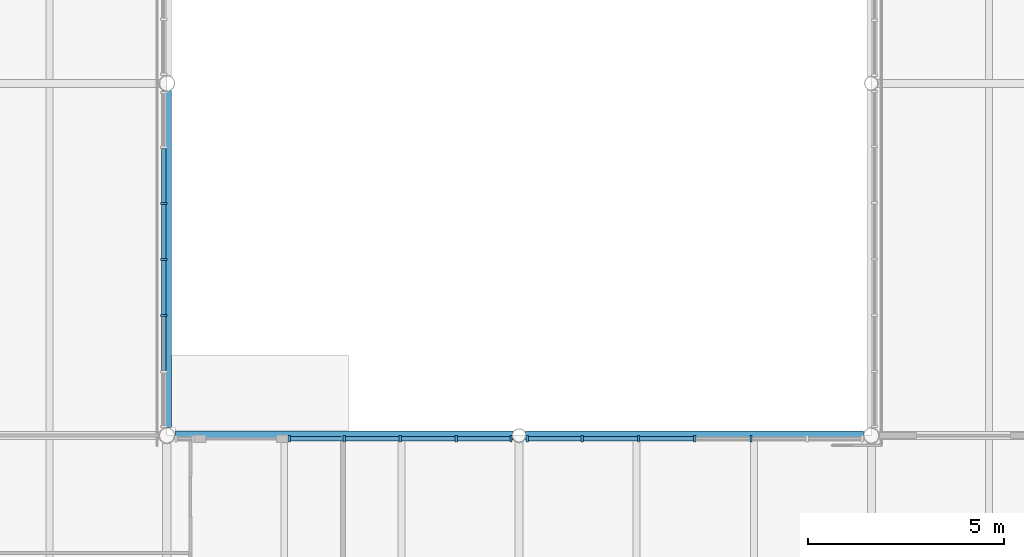
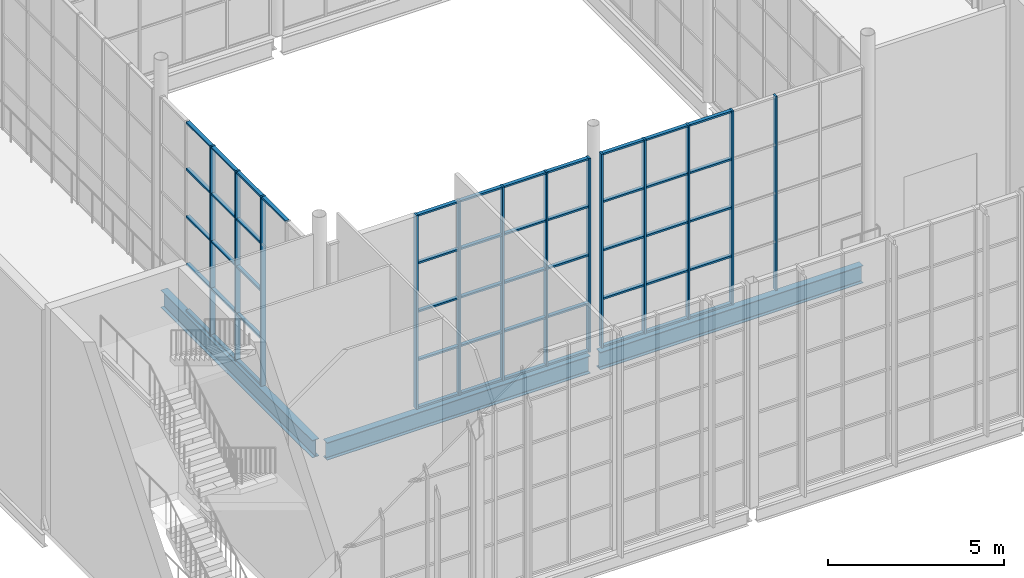
# One storey, part 48 of 90: 64 members, 3 beams, 3 elements without a shape of their own.
"""IFC4 building model written with IfcOpenShell, lengths in metres."""

from ifc_helpers import new_model, si_unit, direction, frame, origin, origin_2d, place, context, subcontext, project, spatial, rectangle, i_section, extrude, material, layer, layer_set, material_profile, profile_set, type_object, element, aggregate, save


model = new_model("IFC4")

# Units and contexts
model_context = context("Model", 3, precision=1e-05, world=origin(), true_north=direction((0.0, 1.0)))
body_context = subcontext(model_context, "Body", "Model", "MODEL_VIEW")
ifc_project = project(units=[si_unit("LENGTHUNIT", "METRE"), si_unit("AREAUNIT", "SQUARE_METRE"), si_unit("VOLUMEUNIT", "CUBIC_METRE"), si_unit("PLANEANGLEUNIT", "RADIAN"), si_unit("MASSUNIT", "GRAM", prefix="KILO")], contexts=[model_context])

# Site, building, storey
site_placement = place(None, origin())
site = spatial("IfcSite", under=ifc_project, at=site_placement, CompositionType="ELEMENT")
building_placement = place(site_placement, origin())
building = spatial("IfcBuilding", under=site, at=building_placement, Name="Halyard Row Museum", CompositionType="ELEMENT")
storey_placement = place(building_placement, frame((0.0, 0.0, 13.39990234375)))
storey = spatial("IfcBuildingStorey", under=building, at=storey_placement, Name="L03", CompositionType="ELEMENT", Elevation=13.39990234375)

# Curtain wall, members
ifc_material_1 = material(Name="Fire-resisting laminated glazing", Category="glass")
ifc_layer = layer(ifc_material_1, 0.159912109375)
ifc_layer_set = layer_set([ifc_layer], Name="Fire-resisting laminated glazing")
curtain_wall_type = type_object("IfcCurtainWallType", Name="Curtain wall atrium screen 160 deep", PredefinedType="NOTDEFINED", material=ifc_layer_set)
curtain_wall_1_placement = place(storey_placement, origin())
curtain_wall_1 = element("IfcCurtainWall", 1, at=curtain_wall_1_placement, inside=storey, type_object=curtain_wall_type, Name="Curtain wall CW094", PredefinedType="NOTDEFINED")
ifc_material_2 = material(Name="Powder-coated aluminium section", Category="aluminium")
ifc_material_profile_1 = material_profile(ifc_material_2, rectangle(XDim=0.159912109375, YDim=0.06005859375, at=origin_2d()), Name="160x60 mullion")
ifc_profile_set_1 = profile_set([ifc_material_profile_1], Name="Powder-coated aluminium section")
member_type_1 = type_object("IfcMemberType", Name="Curtain wall mullion CM5 60 x 160", PredefinedType="MULLION", material=ifc_profile_set_1)
member_1_placement = place(storey_placement, frame((84.1298828125, 8.919921875, 0.0), z_axis=(0.0, 0.0, 1.0), x_axis=(0.0, 1.0, 0.0)))
member_1 = element("IfcMember", 2, at=member_1_placement, type_object=member_type_1, Name="CW094 mullion 1", PredefinedType="MULLION", context=body_context, shape_type="SweptSolid", body=[
    extrude(rectangle(XDim=0.159912109375, YDim=0.06005859375, at=origin_2d()), origin(), (0.0, 0.0, 1.0), 6.732177734375),
])
member_2_placement = place(storey_placement, frame((85.530517578125, 8.919921875, 0.0), z_axis=(0.0, 0.0, 1.0), x_axis=(0.0, 1.0, 0.0)))
member_2 = element("IfcMember", 3, at=member_2_placement, type_object=member_type_1, Name="CW094 mullion 2", PredefinedType="MULLION", context=body_context, shape_type="SweptSolid", body=[
    extrude(rectangle(XDim=0.159912109375, YDim=0.06005859375, at=origin_2d()), origin(), (0.0, 0.0, 1.0), 6.732177734375),
])
member_3_placement = place(storey_placement, frame((86.961181640625, 8.919921875, 0.0), z_axis=(0.0, 0.0, 1.0), x_axis=(0.0, 1.0, 0.0)))
member_3 = element("IfcMember", 4, at=member_3_placement, type_object=member_type_1, Name="CW094 mullion 3", PredefinedType="MULLION", context=body_context, shape_type="SweptSolid", body=[
    extrude(rectangle(XDim=0.159912109375, YDim=0.06005859375, at=origin_2d()), origin(), (0.0, 0.0, 1.0), 6.732177734375),
])
member_4_placement = place(storey_placement, frame((88.3916015625, 8.919921875, 0.0), z_axis=(0.0, 0.0, 1.0), x_axis=(0.0, 1.0, 0.0)))
member_4 = element("IfcMember", 5, at=member_4_placement, type_object=member_type_1, Name="CW094 mullion 4", PredefinedType="MULLION", context=body_context, shape_type="SweptSolid", body=[
    extrude(rectangle(XDim=0.159912109375, YDim=0.06005859375, at=origin_2d()), origin(), (0.0, 0.0, 1.0), 6.732177734375),
])
member_5_placement = place(storey_placement, frame((89.792236328125, 8.919921875, 0.0), z_axis=(0.0, 0.0, 1.0), x_axis=(0.0, 1.0, 0.0)))
member_5 = element("IfcMember", 6, at=member_5_placement, type_object=member_type_1, Name="CW094 mullion 5", PredefinedType="MULLION", context=body_context, shape_type="SweptSolid", body=[
    extrude(rectangle(XDim=0.159912109375, YDim=0.06005859375, at=origin_2d()), origin(), (0.0, 0.0, 1.0), 6.732177734375),
])

curtain_wall_2_placement = place(storey_placement, origin())
curtain_wall_2 = element("IfcCurtainWall", 7, at=curtain_wall_2_placement, inside=storey, type_object=curtain_wall_type, Name="Curtain wall CW095", PredefinedType="NOTDEFINED")
member_6_placement = place(storey_placement, frame((90.207763671875, 8.919921875, 0.0), z_axis=(0.0, 0.0, 1.0), x_axis=(0.0, 1.0, 0.0)))
member_6 = element("IfcMember", 8, at=member_6_placement, type_object=member_type_1, Name="CW095 mullion 1", PredefinedType="MULLION", context=body_context, shape_type="SweptSolid", body=[
    extrude(rectangle(XDim=0.159912109375, YDim=0.06005859375, at=origin_2d()), origin(), (0.0, 0.0, 1.0), 6.732177734375),
])
member_7_placement = place(storey_placement, frame((91.6142578125, 8.919921875, 0.0), z_axis=(0.0, 0.0, 1.0), x_axis=(0.0, 1.0, 0.0)))
member_7 = element("IfcMember", 9, at=member_7_placement, type_object=member_type_1, Name="CW095 mullion 2", PredefinedType="MULLION", context=body_context, shape_type="SweptSolid", body=[
    extrude(rectangle(XDim=0.159912109375, YDim=0.06005859375, at=origin_2d()), origin(), (0.0, 0.0, 1.0), 6.732177734375),
])
member_8_placement = place(storey_placement, frame((93.05078125, 8.919921875, 0.0), z_axis=(0.0, 0.0, 1.0), x_axis=(0.0, 1.0, 0.0)))
member_8 = element("IfcMember", 10, at=member_8_placement, type_object=member_type_1, Name="CW095 mullion 3", PredefinedType="MULLION", context=body_context, shape_type="SweptSolid", body=[
    extrude(rectangle(XDim=0.159912109375, YDim=0.06005859375, at=origin_2d()), origin(), (0.0, 0.0, 1.0), 6.732177734375),
])
member_9_placement = place(storey_placement, frame((94.4873046875, 8.919921875, 0.0), z_axis=(0.0, 0.0, 1.0), x_axis=(0.0, 1.0, 0.0)))
member_9 = element("IfcMember", 11, at=member_9_placement, type_object=member_type_1, Name="CW095 mullion 4", PredefinedType="MULLION", context=body_context, shape_type="SweptSolid", body=[
    extrude(rectangle(XDim=0.159912109375, YDim=0.06005859375, at=origin_2d()), origin(), (0.0, 0.0, 1.0), 6.732177734375),
])
member_10_placement = place(storey_placement, frame((95.923828125, 8.919921875, 0.0), z_axis=(0.0, 0.0, 1.0), x_axis=(0.0, 1.0, 0.0)))
member_10 = element("IfcMember", 12, at=member_10_placement, type_object=member_type_1, Name="CW095 mullion 5", PredefinedType="MULLION", context=body_context, shape_type="SweptSolid", body=[
    extrude(rectangle(XDim=0.159912109375, YDim=0.06005859375, at=origin_2d()), origin(), (0.0, 0.0, 1.0), 6.732177734375),
])

curtain_wall_3_placement = place(storey_placement, origin())
curtain_wall_3 = element("IfcCurtainWall", 13, at=curtain_wall_3_placement, inside=storey, type_object=curtain_wall_type, Name="Curtain wall CW101", PredefinedType="NOTDEFINED")
member_11_placement = place(storey_placement, frame((80.919921875, 14.932373046875, 0.0), z_axis=(0.0, 0.0, 1.0), x_axis=(1.0, 0.0, 0.0)))
member_11 = element("IfcMember", 14, at=member_11_placement, type_object=member_type_1, Name="CW101 mullion 3", PredefinedType="MULLION", context=body_context, shape_type="SweptSolid", body=[
    extrude(rectangle(XDim=0.159912109375, YDim=0.06005859375, at=origin_2d()), origin(), (0.0, 0.0, 1.0), 6.585205078125),
])
member_12_placement = place(storey_placement, frame((80.919921875, 13.5, 0.0), z_axis=(0.0, 0.0, 1.0), x_axis=(1.0, 0.0, 0.0)))
member_12 = element("IfcMember", 15, at=member_12_placement, type_object=member_type_1, Name="CW101 mullion 4", PredefinedType="MULLION", context=body_context, shape_type="SweptSolid", body=[
    extrude(rectangle(XDim=0.159912109375, YDim=0.06005859375, at=origin_2d()), origin(), (0.0, 0.0, 1.0), 6.585205078125),
])
member_13_placement = place(storey_placement, frame((80.919921875, 12.067626953125, 0.0), z_axis=(0.0, 0.0, 1.0), x_axis=(1.0, 0.0, 0.0)))
member_13 = element("IfcMember", 16, at=member_13_placement, type_object=member_type_1, Name="CW101 mullion 5", PredefinedType="MULLION", context=body_context, shape_type="SweptSolid", body=[
    extrude(rectangle(XDim=0.159912109375, YDim=0.06005859375, at=origin_2d()), origin(), (0.0, 0.0, 1.0), 6.585205078125),
])

# Member
ifc_material_3 = material(Name="Powder-coated aluminium section", Category="aluminium")
ifc_material_profile_2 = material_profile(ifc_material_3, rectangle(XDim=0.1201171875, YDim=0.06005859375, at=origin_2d()), Name="120x60 transom")
ifc_profile_set_2 = profile_set([ifc_material_profile_2], Name="Powder-coated aluminium section")
member_type_2 = type_object("IfcMemberType", Name="Curtain wall transom CT5 60 x 120", PredefinedType="USERDEFINED", material=ifc_profile_set_2)
member_14_placement = place(storey_placement, frame((84.159912109375, 8.919921875, 0.030029296875), z_axis=(1.0, 0.0, 0.0), x_axis=(0.0, 1.0, 0.0)))
member_14 = element("IfcMember", 17, at=member_14_placement, type_object=member_type_2, Name="CW094 transom 1.1", ObjectType="TRANSOM", PredefinedType="USERDEFINED", context=body_context, shape_type="SweptSolid", body=[
    extrude(rectangle(XDim=0.1201171875, YDim=0.06005859375, at=origin_2d()), origin(), (0.0, 0.0, 1.0), 1.340576171875),
])

member_15_placement = place(storey_placement, frame((84.159912109375, 8.919921875, 1.68310546875), z_axis=(1.0, 0.0, 0.0), x_axis=(0.0, 1.0, 0.0)))
member_15 = element("IfcMember", 18, at=member_15_placement, type_object=member_type_2, Name="CW094 transom 1.2", ObjectType="TRANSOM", PredefinedType="USERDEFINED", context=body_context, shape_type="SweptSolid", body=[
    extrude(rectangle(XDim=0.1201171875, YDim=0.06005859375, at=origin_2d()), origin(), (0.0, 0.0, 1.0), 1.340576171875),
])

member_16_placement = place(storey_placement, frame((84.159912109375, 8.919921875, 3.3662109375), z_axis=(1.0, 0.0, 0.0), x_axis=(0.0, 1.0, 0.0)))
member_16 = element("IfcMember", 19, at=member_16_placement, type_object=member_type_2, Name="CW094 transom 1.3", ObjectType="TRANSOM", PredefinedType="USERDEFINED", context=body_context, shape_type="SweptSolid", body=[
    extrude(rectangle(XDim=0.1201171875, YDim=0.06005859375, at=origin_2d()), origin(), (0.0, 0.0, 1.0), 1.340576171875),
])

member_17_placement = place(storey_placement, frame((84.159912109375, 8.919921875, 5.049072265625), z_axis=(1.0, 0.0, 0.0), x_axis=(0.0, 1.0, 0.0)))
member_17 = element("IfcMember", 20, at=member_17_placement, type_object=member_type_2, Name="CW094 transom 1.4", ObjectType="TRANSOM", PredefinedType="USERDEFINED", context=body_context, shape_type="SweptSolid", body=[
    extrude(rectangle(XDim=0.1201171875, YDim=0.06005859375, at=origin_2d()), origin(), (0.0, 0.0, 1.0), 1.340576171875),
])

member_18_placement = place(storey_placement, frame((84.159912109375, 8.919921875, 6.7021484375), z_axis=(1.0, 0.0, 0.0), x_axis=(0.0, 1.0, 0.0)))
member_18 = element("IfcMember", 21, at=member_18_placement, type_object=member_type_2, Name="CW094 transom 1.5", ObjectType="TRANSOM", PredefinedType="USERDEFINED", context=body_context, shape_type="SweptSolid", body=[
    extrude(rectangle(XDim=0.1201171875, YDim=0.06005859375, at=origin_2d()), origin(), (0.0, 0.0, 1.0), 1.340576171875),
])

member_19_placement = place(storey_placement, frame((85.560546875, 8.919921875, 0.030029296875), z_axis=(1.0, 0.0, 0.0), x_axis=(0.0, 1.0, 0.0)))
member_19 = element("IfcMember", 22, at=member_19_placement, type_object=member_type_2, Name="CW094 transom 2.1", ObjectType="TRANSOM", PredefinedType="USERDEFINED", context=body_context, shape_type="SweptSolid", body=[
    extrude(rectangle(XDim=0.1201171875, YDim=0.06005859375, at=origin_2d()), origin(), (0.0, 0.0, 1.0), 1.37060546875),
])

member_20_placement = place(storey_placement, frame((85.560546875, 8.919921875, 1.68310546875), z_axis=(1.0, 0.0, 0.0), x_axis=(0.0, 1.0, 0.0)))
member_20 = element("IfcMember", 23, at=member_20_placement, type_object=member_type_2, Name="CW094 transom 2.2", ObjectType="TRANSOM", PredefinedType="USERDEFINED", context=body_context, shape_type="SweptSolid", body=[
    extrude(rectangle(XDim=0.1201171875, YDim=0.06005859375, at=origin_2d()), origin(), (0.0, 0.0, 1.0), 1.37060546875),
])

member_21_placement = place(storey_placement, frame((85.560546875, 8.919921875, 3.3662109375), z_axis=(1.0, 0.0, 0.0), x_axis=(0.0, 1.0, 0.0)))
member_21 = element("IfcMember", 24, at=member_21_placement, type_object=member_type_2, Name="CW094 transom 2.3", ObjectType="TRANSOM", PredefinedType="USERDEFINED", context=body_context, shape_type="SweptSolid", body=[
    extrude(rectangle(XDim=0.1201171875, YDim=0.06005859375, at=origin_2d()), origin(), (0.0, 0.0, 1.0), 1.37060546875),
])

member_22_placement = place(storey_placement, frame((85.560546875, 8.919921875, 5.049072265625), z_axis=(1.0, 0.0, 0.0), x_axis=(0.0, 1.0, 0.0)))
member_22 = element("IfcMember", 25, at=member_22_placement, type_object=member_type_2, Name="CW094 transom 2.4", ObjectType="TRANSOM", PredefinedType="USERDEFINED", context=body_context, shape_type="SweptSolid", body=[
    extrude(rectangle(XDim=0.1201171875, YDim=0.06005859375, at=origin_2d()), origin(), (0.0, 0.0, 1.0), 1.37060546875),
])

member_23_placement = place(storey_placement, frame((85.560546875, 8.919921875, 6.7021484375), z_axis=(1.0, 0.0, 0.0), x_axis=(0.0, 1.0, 0.0)))
member_23 = element("IfcMember", 26, at=member_23_placement, type_object=member_type_2, Name="CW094 transom 2.5", ObjectType="TRANSOM", PredefinedType="USERDEFINED", context=body_context, shape_type="SweptSolid", body=[
    extrude(rectangle(XDim=0.1201171875, YDim=0.06005859375, at=origin_2d()), origin(), (0.0, 0.0, 1.0), 1.37060546875),
])

member_24_placement = place(storey_placement, frame((86.9912109375, 8.919921875, 0.030029296875), z_axis=(1.0, 0.0, 0.0), x_axis=(0.0, 1.0, 0.0)))
member_24 = element("IfcMember", 27, at=member_24_placement, type_object=member_type_2, Name="CW094 transom 3.1", ObjectType="TRANSOM", PredefinedType="USERDEFINED", context=body_context, shape_type="SweptSolid", body=[
    extrude(rectangle(XDim=0.1201171875, YDim=0.06005859375, at=origin_2d()), origin(), (0.0, 0.0, 1.0), 1.370361328125),
])

member_25_placement = place(storey_placement, frame((86.9912109375, 8.919921875, 1.68310546875), z_axis=(1.0, 0.0, 0.0), x_axis=(0.0, 1.0, 0.0)))
member_25 = element("IfcMember", 28, at=member_25_placement, type_object=member_type_2, Name="CW094 transom 3.2", ObjectType="TRANSOM", PredefinedType="USERDEFINED", context=body_context, shape_type="SweptSolid", body=[
    extrude(rectangle(XDim=0.1201171875, YDim=0.06005859375, at=origin_2d()), origin(), (0.0, 0.0, 1.0), 1.370361328125),
])

member_26_placement = place(storey_placement, frame((86.9912109375, 8.919921875, 3.3662109375), z_axis=(1.0, 0.0, 0.0), x_axis=(0.0, 1.0, 0.0)))
member_26 = element("IfcMember", 29, at=member_26_placement, type_object=member_type_2, Name="CW094 transom 3.3", ObjectType="TRANSOM", PredefinedType="USERDEFINED", context=body_context, shape_type="SweptSolid", body=[
    extrude(rectangle(XDim=0.1201171875, YDim=0.06005859375, at=origin_2d()), origin(), (0.0, 0.0, 1.0), 1.370361328125),
])

member_27_placement = place(storey_placement, frame((86.9912109375, 8.919921875, 5.049072265625), z_axis=(1.0, 0.0, 0.0), x_axis=(0.0, 1.0, 0.0)))
member_27 = element("IfcMember", 30, at=member_27_placement, type_object=member_type_2, Name="CW094 transom 3.4", ObjectType="TRANSOM", PredefinedType="USERDEFINED", context=body_context, shape_type="SweptSolid", body=[
    extrude(rectangle(XDim=0.1201171875, YDim=0.06005859375, at=origin_2d()), origin(), (0.0, 0.0, 1.0), 1.370361328125),
])

member_28_placement = place(storey_placement, frame((86.9912109375, 8.919921875, 6.7021484375), z_axis=(1.0, 0.0, 0.0), x_axis=(0.0, 1.0, 0.0)))
member_28 = element("IfcMember", 31, at=member_28_placement, type_object=member_type_2, Name="CW094 transom 3.5", ObjectType="TRANSOM", PredefinedType="USERDEFINED", context=body_context, shape_type="SweptSolid", body=[
    extrude(rectangle(XDim=0.1201171875, YDim=0.06005859375, at=origin_2d()), origin(), (0.0, 0.0, 1.0), 1.370361328125),
])

member_29_placement = place(storey_placement, frame((88.421630859375, 8.919921875, 0.030029296875), z_axis=(1.0, 0.0, 0.0), x_axis=(0.0, 1.0, 0.0)))
member_29 = element("IfcMember", 32, at=member_29_placement, type_object=member_type_2, Name="CW094 transom 4.1", ObjectType="TRANSOM", PredefinedType="USERDEFINED", context=body_context, shape_type="SweptSolid", body=[
    extrude(rectangle(XDim=0.1201171875, YDim=0.06005859375, at=origin_2d()), origin(), (0.0, 0.0, 1.0), 1.340576171875),
])

member_30_placement = place(storey_placement, frame((88.421630859375, 8.919921875, 1.68310546875), z_axis=(1.0, 0.0, 0.0), x_axis=(0.0, 1.0, 0.0)))
member_30 = element("IfcMember", 33, at=member_30_placement, type_object=member_type_2, Name="CW094 transom 4.2", ObjectType="TRANSOM", PredefinedType="USERDEFINED", context=body_context, shape_type="SweptSolid", body=[
    extrude(rectangle(XDim=0.1201171875, YDim=0.06005859375, at=origin_2d()), origin(), (0.0, 0.0, 1.0), 1.340576171875),
])

member_31_placement = place(storey_placement, frame((88.421630859375, 8.919921875, 3.3662109375), z_axis=(1.0, 0.0, 0.0), x_axis=(0.0, 1.0, 0.0)))
member_31 = element("IfcMember", 34, at=member_31_placement, type_object=member_type_2, Name="CW094 transom 4.3", ObjectType="TRANSOM", PredefinedType="USERDEFINED", context=body_context, shape_type="SweptSolid", body=[
    extrude(rectangle(XDim=0.1201171875, YDim=0.06005859375, at=origin_2d()), origin(), (0.0, 0.0, 1.0), 1.340576171875),
])

member_32_placement = place(storey_placement, frame((88.421630859375, 8.919921875, 5.049072265625), z_axis=(1.0, 0.0, 0.0), x_axis=(0.0, 1.0, 0.0)))
member_32 = element("IfcMember", 35, at=member_32_placement, type_object=member_type_2, Name="CW094 transom 4.4", ObjectType="TRANSOM", PredefinedType="USERDEFINED", context=body_context, shape_type="SweptSolid", body=[
    extrude(rectangle(XDim=0.1201171875, YDim=0.06005859375, at=origin_2d()), origin(), (0.0, 0.0, 1.0), 1.340576171875),
])

member_33_placement = place(storey_placement, frame((88.421630859375, 8.919921875, 6.7021484375), z_axis=(1.0, 0.0, 0.0), x_axis=(0.0, 1.0, 0.0)))
member_33 = element("IfcMember", 36, at=member_33_placement, type_object=member_type_2, Name="CW094 transom 4.5", ObjectType="TRANSOM", PredefinedType="USERDEFINED", context=body_context, shape_type="SweptSolid", body=[
    extrude(rectangle(XDim=0.1201171875, YDim=0.06005859375, at=origin_2d()), origin(), (0.0, 0.0, 1.0), 1.340576171875),
])

aggregate(curtain_wall_1, [member_1, member_2, member_3, member_4, member_5, member_14, member_15, member_16, member_17, member_18, member_19, member_20, member_21, member_22, member_23, member_24, member_25, member_26, member_27, member_28, member_29, member_30, member_31, member_32, member_33])

member_34_placement = place(storey_placement, frame((90.23779296875, 8.919921875, 0.030029296875), z_axis=(1.0, 0.0, 0.0), x_axis=(0.0, 1.0, 0.0)))
member_34 = element("IfcMember", 37, at=member_34_placement, type_object=member_type_2, Name="CW095 transom 1.1", ObjectType="TRANSOM", PredefinedType="USERDEFINED", context=body_context, shape_type="SweptSolid", body=[
    extrude(rectangle(XDim=0.1201171875, YDim=0.06005859375, at=origin_2d()), origin(), (0.0, 0.0, 1.0), 1.346435546875),
])

member_35_placement = place(storey_placement, frame((90.23779296875, 8.919921875, 1.68310546875), z_axis=(1.0, 0.0, 0.0), x_axis=(0.0, 1.0, 0.0)))
member_35 = element("IfcMember", 38, at=member_35_placement, type_object=member_type_2, Name="CW095 transom 1.2", ObjectType="TRANSOM", PredefinedType="USERDEFINED", context=body_context, shape_type="SweptSolid", body=[
    extrude(rectangle(XDim=0.1201171875, YDim=0.06005859375, at=origin_2d()), origin(), (0.0, 0.0, 1.0), 1.346435546875),
])

member_36_placement = place(storey_placement, frame((90.23779296875, 8.919921875, 3.3662109375), z_axis=(1.0, 0.0, 0.0), x_axis=(0.0, 1.0, 0.0)))
member_36 = element("IfcMember", 39, at=member_36_placement, type_object=member_type_2, Name="CW095 transom 1.3", ObjectType="TRANSOM", PredefinedType="USERDEFINED", context=body_context, shape_type="SweptSolid", body=[
    extrude(rectangle(XDim=0.1201171875, YDim=0.06005859375, at=origin_2d()), origin(), (0.0, 0.0, 1.0), 1.346435546875),
])

member_37_placement = place(storey_placement, frame((90.23779296875, 8.919921875, 5.049072265625), z_axis=(1.0, 0.0, 0.0), x_axis=(0.0, 1.0, 0.0)))
member_37 = element("IfcMember", 40, at=member_37_placement, type_object=member_type_2, Name="CW095 transom 1.4", ObjectType="TRANSOM", PredefinedType="USERDEFINED", context=body_context, shape_type="SweptSolid", body=[
    extrude(rectangle(XDim=0.1201171875, YDim=0.06005859375, at=origin_2d()), origin(), (0.0, 0.0, 1.0), 1.346435546875),
])

member_38_placement = place(storey_placement, frame((90.23779296875, 8.919921875, 6.7021484375), z_axis=(1.0, 0.0, 0.0), x_axis=(0.0, 1.0, 0.0)))
member_38 = element("IfcMember", 41, at=member_38_placement, type_object=member_type_2, Name="CW095 transom 1.5", ObjectType="TRANSOM", PredefinedType="USERDEFINED", context=body_context, shape_type="SweptSolid", body=[
    extrude(rectangle(XDim=0.1201171875, YDim=0.06005859375, at=origin_2d()), origin(), (0.0, 0.0, 1.0), 1.346435546875),
])

member_39_placement = place(storey_placement, frame((91.644287109375, 8.919921875, 0.030029296875), z_axis=(1.0, 0.0, 0.0), x_axis=(0.0, 1.0, 0.0)))
member_39 = element("IfcMember", 42, at=member_39_placement, type_object=member_type_2, Name="CW095 transom 2.1", ObjectType="TRANSOM", PredefinedType="USERDEFINED", context=body_context, shape_type="SweptSolid", body=[
    extrude(rectangle(XDim=0.1201171875, YDim=0.06005859375, at=origin_2d()), origin(), (0.0, 0.0, 1.0), 1.37646484375),
])

member_40_placement = place(storey_placement, frame((91.644287109375, 8.919921875, 1.68310546875), z_axis=(1.0, 0.0, 0.0), x_axis=(0.0, 1.0, 0.0)))
member_40 = element("IfcMember", 43, at=member_40_placement, type_object=member_type_2, Name="CW095 transom 2.2", ObjectType="TRANSOM", PredefinedType="USERDEFINED", context=body_context, shape_type="SweptSolid", body=[
    extrude(rectangle(XDim=0.1201171875, YDim=0.06005859375, at=origin_2d()), origin(), (0.0, 0.0, 1.0), 1.37646484375),
])

member_41_placement = place(storey_placement, frame((91.644287109375, 8.919921875, 3.3662109375), z_axis=(1.0, 0.0, 0.0), x_axis=(0.0, 1.0, 0.0)))
member_41 = element("IfcMember", 44, at=member_41_placement, type_object=member_type_2, Name="CW095 transom 2.3", ObjectType="TRANSOM", PredefinedType="USERDEFINED", context=body_context, shape_type="SweptSolid", body=[
    extrude(rectangle(XDim=0.1201171875, YDim=0.06005859375, at=origin_2d()), origin(), (0.0, 0.0, 1.0), 1.37646484375),
])

member_42_placement = place(storey_placement, frame((91.644287109375, 8.919921875, 5.049072265625), z_axis=(1.0, 0.0, 0.0), x_axis=(0.0, 1.0, 0.0)))
member_42 = element("IfcMember", 45, at=member_42_placement, type_object=member_type_2, Name="CW095 transom 2.4", ObjectType="TRANSOM", PredefinedType="USERDEFINED", context=body_context, shape_type="SweptSolid", body=[
    extrude(rectangle(XDim=0.1201171875, YDim=0.06005859375, at=origin_2d()), origin(), (0.0, 0.0, 1.0), 1.37646484375),
])

member_43_placement = place(storey_placement, frame((91.644287109375, 8.919921875, 6.7021484375), z_axis=(1.0, 0.0, 0.0), x_axis=(0.0, 1.0, 0.0)))
member_43 = element("IfcMember", 46, at=member_43_placement, type_object=member_type_2, Name="CW095 transom 2.5", ObjectType="TRANSOM", PredefinedType="USERDEFINED", context=body_context, shape_type="SweptSolid", body=[
    extrude(rectangle(XDim=0.1201171875, YDim=0.06005859375, at=origin_2d()), origin(), (0.0, 0.0, 1.0), 1.37646484375),
])

member_44_placement = place(storey_placement, frame((93.080810546875, 8.919921875, 0.030029296875), z_axis=(1.0, 0.0, 0.0), x_axis=(0.0, 1.0, 0.0)))
member_44 = element("IfcMember", 47, at=member_44_placement, type_object=member_type_2, Name="CW095 transom 3.1", ObjectType="TRANSOM", PredefinedType="USERDEFINED", context=body_context, shape_type="SweptSolid", body=[
    extrude(rectangle(XDim=0.1201171875, YDim=0.06005859375, at=origin_2d()), origin(), (0.0, 0.0, 1.0), 1.37646484375),
])

member_45_placement = place(storey_placement, frame((93.080810546875, 8.919921875, 1.68310546875), z_axis=(1.0, 0.0, 0.0), x_axis=(0.0, 1.0, 0.0)))
member_45 = element("IfcMember", 48, at=member_45_placement, type_object=member_type_2, Name="CW095 transom 3.2", ObjectType="TRANSOM", PredefinedType="USERDEFINED", context=body_context, shape_type="SweptSolid", body=[
    extrude(rectangle(XDim=0.1201171875, YDim=0.06005859375, at=origin_2d()), origin(), (0.0, 0.0, 1.0), 1.37646484375),
])

member_46_placement = place(storey_placement, frame((93.080810546875, 8.919921875, 3.3662109375), z_axis=(1.0, 0.0, 0.0), x_axis=(0.0, 1.0, 0.0)))
member_46 = element("IfcMember", 49, at=member_46_placement, type_object=member_type_2, Name="CW095 transom 3.3", ObjectType="TRANSOM", PredefinedType="USERDEFINED", context=body_context, shape_type="SweptSolid", body=[
    extrude(rectangle(XDim=0.1201171875, YDim=0.06005859375, at=origin_2d()), origin(), (0.0, 0.0, 1.0), 1.37646484375),
])

member_47_placement = place(storey_placement, frame((93.080810546875, 8.919921875, 5.049072265625), z_axis=(1.0, 0.0, 0.0), x_axis=(0.0, 1.0, 0.0)))
member_47 = element("IfcMember", 50, at=member_47_placement, type_object=member_type_2, Name="CW095 transom 3.4", ObjectType="TRANSOM", PredefinedType="USERDEFINED", context=body_context, shape_type="SweptSolid", body=[
    extrude(rectangle(XDim=0.1201171875, YDim=0.06005859375, at=origin_2d()), origin(), (0.0, 0.0, 1.0), 1.37646484375),
])

member_48_placement = place(storey_placement, frame((93.080810546875, 8.919921875, 6.7021484375), z_axis=(1.0, 0.0, 0.0), x_axis=(0.0, 1.0, 0.0)))
member_48 = element("IfcMember", 51, at=member_48_placement, type_object=member_type_2, Name="CW095 transom 3.5", ObjectType="TRANSOM", PredefinedType="USERDEFINED", context=body_context, shape_type="SweptSolid", body=[
    extrude(rectangle(XDim=0.1201171875, YDim=0.06005859375, at=origin_2d()), origin(), (0.0, 0.0, 1.0), 1.37646484375),
])

aggregate(curtain_wall_2, [member_6, member_7, member_8, member_9, member_10, member_34, member_35, member_36, member_37, member_38, member_39, member_40, member_41, member_42, member_43, member_44, member_45, member_46, member_47, member_48])

member_49_placement = place(storey_placement, frame((80.919921875, 16.33447265625, 0.030029296875), z_axis=(0.0, -1.0, 0.0), x_axis=(1.0, 0.0, 0.0)))
member_49 = element("IfcMember", 52, at=member_49_placement, type_object=member_type_2, Name="CW101 transom 2.1", ObjectType="TRANSOM", PredefinedType="USERDEFINED", context=body_context, shape_type="SweptSolid", body=[
    extrude(rectangle(XDim=0.1201171875, YDim=0.06005859375, at=origin_2d()), origin(), (0.0, 0.0, 1.0), 1.372314453125),
])

member_50_placement = place(storey_placement, frame((80.919921875, 16.33447265625, 1.646240234375), z_axis=(0.0, -1.0, 0.0), x_axis=(1.0, 0.0, 0.0)))
member_50 = element("IfcMember", 53, at=member_50_placement, type_object=member_type_2, Name="CW101 transom 2.2", ObjectType="TRANSOM", PredefinedType="USERDEFINED", context=body_context, shape_type="SweptSolid", body=[
    extrude(rectangle(XDim=0.1201171875, YDim=0.06005859375, at=origin_2d()), origin(), (0.0, 0.0, 1.0), 1.372314453125),
])

member_51_placement = place(storey_placement, frame((80.919921875, 16.33447265625, 3.29248046875), z_axis=(0.0, -1.0, 0.0), x_axis=(1.0, 0.0, 0.0)))
member_51 = element("IfcMember", 54, at=member_51_placement, type_object=member_type_2, Name="CW101 transom 2.3", ObjectType="TRANSOM", PredefinedType="USERDEFINED", context=body_context, shape_type="SweptSolid", body=[
    extrude(rectangle(XDim=0.1201171875, YDim=0.06005859375, at=origin_2d()), origin(), (0.0, 0.0, 1.0), 1.372314453125),
])

member_52_placement = place(storey_placement, frame((80.919921875, 16.33447265625, 4.93896484375), z_axis=(0.0, -1.0, 0.0), x_axis=(1.0, 0.0, 0.0)))
member_52 = element("IfcMember", 55, at=member_52_placement, type_object=member_type_2, Name="CW101 transom 2.4", ObjectType="TRANSOM", PredefinedType="USERDEFINED", context=body_context, shape_type="SweptSolid", body=[
    extrude(rectangle(XDim=0.1201171875, YDim=0.06005859375, at=origin_2d()), origin(), (0.0, 0.0, 1.0), 1.372314453125),
])

member_53_placement = place(storey_placement, frame((80.919921875, 16.33447265625, 6.55517578125), z_axis=(0.0, -1.0, 0.0), x_axis=(1.0, 0.0, 0.0)))
member_53 = element("IfcMember", 56, at=member_53_placement, type_object=member_type_2, Name="CW101 transom 2.5", ObjectType="TRANSOM", PredefinedType="USERDEFINED", context=body_context, shape_type="SweptSolid", body=[
    extrude(rectangle(XDim=0.1201171875, YDim=0.06005859375, at=origin_2d()), origin(), (0.0, 0.0, 1.0), 1.372314453125),
])

member_54_placement = place(storey_placement, frame((80.919921875, 14.90234375, 0.030029296875), z_axis=(0.0, -1.0, 0.0), x_axis=(1.0, 0.0, 0.0)))
member_54 = element("IfcMember", 57, at=member_54_placement, type_object=member_type_2, Name="CW101 transom 3.1", ObjectType="TRANSOM", PredefinedType="USERDEFINED", context=body_context, shape_type="SweptSolid", body=[
    extrude(rectangle(XDim=0.1201171875, YDim=0.06005859375, at=origin_2d()), origin(), (0.0, 0.0, 1.0), 1.372314453125),
])

member_55_placement = place(storey_placement, frame((80.919921875, 14.90234375, 1.646240234375), z_axis=(0.0, -1.0, 0.0), x_axis=(1.0, 0.0, 0.0)))
member_55 = element("IfcMember", 58, at=member_55_placement, type_object=member_type_2, Name="CW101 transom 3.2", ObjectType="TRANSOM", PredefinedType="USERDEFINED", context=body_context, shape_type="SweptSolid", body=[
    extrude(rectangle(XDim=0.1201171875, YDim=0.06005859375, at=origin_2d()), origin(), (0.0, 0.0, 1.0), 1.372314453125),
])

member_56_placement = place(storey_placement, frame((80.919921875, 14.90234375, 3.29248046875), z_axis=(0.0, -1.0, 0.0), x_axis=(1.0, 0.0, 0.0)))
member_56 = element("IfcMember", 59, at=member_56_placement, type_object=member_type_2, Name="CW101 transom 3.3", ObjectType="TRANSOM", PredefinedType="USERDEFINED", context=body_context, shape_type="SweptSolid", body=[
    extrude(rectangle(XDim=0.1201171875, YDim=0.06005859375, at=origin_2d()), origin(), (0.0, 0.0, 1.0), 1.372314453125),
])

member_57_placement = place(storey_placement, frame((80.919921875, 14.90234375, 4.93896484375), z_axis=(0.0, -1.0, 0.0), x_axis=(1.0, 0.0, 0.0)))
member_57 = element("IfcMember", 60, at=member_57_placement, type_object=member_type_2, Name="CW101 transom 3.4", ObjectType="TRANSOM", PredefinedType="USERDEFINED", context=body_context, shape_type="SweptSolid", body=[
    extrude(rectangle(XDim=0.1201171875, YDim=0.06005859375, at=origin_2d()), origin(), (0.0, 0.0, 1.0), 1.372314453125),
])

member_58_placement = place(storey_placement, frame((80.919921875, 14.90234375, 6.55517578125), z_axis=(0.0, -1.0, 0.0), x_axis=(1.0, 0.0, 0.0)))
member_58 = element("IfcMember", 61, at=member_58_placement, type_object=member_type_2, Name="CW101 transom 3.5", ObjectType="TRANSOM", PredefinedType="USERDEFINED", context=body_context, shape_type="SweptSolid", body=[
    extrude(rectangle(XDim=0.1201171875, YDim=0.06005859375, at=origin_2d()), origin(), (0.0, 0.0, 1.0), 1.372314453125),
])

member_59_placement = place(storey_placement, frame((80.919921875, 13.469970703125, 0.030029296875), z_axis=(0.0, -1.0, 0.0), x_axis=(1.0, 0.0, 0.0)))
member_59 = element("IfcMember", 62, at=member_59_placement, type_object=member_type_2, Name="CW101 transom 4.1", ObjectType="TRANSOM", PredefinedType="USERDEFINED", context=body_context, shape_type="SweptSolid", body=[
    extrude(rectangle(XDim=0.1201171875, YDim=0.06005859375, at=origin_2d()), origin(), (0.0, 0.0, 1.0), 1.372314453125),
])

member_60_placement = place(storey_placement, frame((80.919921875, 13.469970703125, 1.646240234375), z_axis=(0.0, -1.0, 0.0), x_axis=(1.0, 0.0, 0.0)))
member_60 = element("IfcMember", 63, at=member_60_placement, type_object=member_type_2, Name="CW101 transom 4.2", ObjectType="TRANSOM", PredefinedType="USERDEFINED", context=body_context, shape_type="SweptSolid", body=[
    extrude(rectangle(XDim=0.1201171875, YDim=0.06005859375, at=origin_2d()), origin(), (0.0, 0.0, 1.0), 1.372314453125),
])

member_61_placement = place(storey_placement, frame((80.919921875, 13.469970703125, 3.29248046875), z_axis=(0.0, -1.0, 0.0), x_axis=(1.0, 0.0, 0.0)))
member_61 = element("IfcMember", 64, at=member_61_placement, type_object=member_type_2, Name="CW101 transom 4.3", ObjectType="TRANSOM", PredefinedType="USERDEFINED", context=body_context, shape_type="SweptSolid", body=[
    extrude(rectangle(XDim=0.1201171875, YDim=0.06005859375, at=origin_2d()), origin(), (0.0, 0.0, 1.0), 1.372314453125),
])

member_62_placement = place(storey_placement, frame((80.919921875, 13.469970703125, 4.93896484375), z_axis=(0.0, -1.0, 0.0), x_axis=(1.0, 0.0, 0.0)))
member_62 = element("IfcMember", 65, at=member_62_placement, type_object=member_type_2, Name="CW101 transom 4.4", ObjectType="TRANSOM", PredefinedType="USERDEFINED", context=body_context, shape_type="SweptSolid", body=[
    extrude(rectangle(XDim=0.1201171875, YDim=0.06005859375, at=origin_2d()), origin(), (0.0, 0.0, 1.0), 1.372314453125),
])

member_63_placement = place(storey_placement, frame((80.919921875, 13.469970703125, 6.55517578125), z_axis=(0.0, -1.0, 0.0), x_axis=(1.0, 0.0, 0.0)))
member_63 = element("IfcMember", 66, at=member_63_placement, type_object=member_type_2, Name="CW101 transom 4.5", ObjectType="TRANSOM", PredefinedType="USERDEFINED", context=body_context, shape_type="SweptSolid", body=[
    extrude(rectangle(XDim=0.1201171875, YDim=0.06005859375, at=origin_2d()), origin(), (0.0, 0.0, 1.0), 1.372314453125),
])

member_64_placement = place(storey_placement, frame((80.919921875, 12.037841796875, 6.55517578125), z_axis=(0.0, -1.0, 0.0), x_axis=(1.0, 0.0, 0.0)))
member_64 = element("IfcMember", 67, at=member_64_placement, type_object=member_type_2, Name="CW101 transom 5.5", ObjectType="TRANSOM", PredefinedType="USERDEFINED", context=body_context, shape_type="SweptSolid", body=[
    extrude(rectangle(XDim=0.1201171875, YDim=0.06005859375, at=origin_2d()), origin(), (0.0, 0.0, 1.0), 1.372314453125),
])

aggregate(curtain_wall_3, [member_11, member_12, member_13, member_49, member_50, member_51, member_52, member_53, member_54, member_55, member_56, member_57, member_58, member_59, member_60, member_61, member_62, member_63, member_64])

# Beams
ifc_material_4 = material(Name="Steel Grade 300", Category="steel")
ifc_material_profile_3 = material_profile(ifc_material_4, i_section(OverallWidth=0.22802734375, OverallDepth=0.60693359375, WebThickness=0.01123046875, FlangeThickness=0.017333984375, FilletRadius=0.013916015625, at=origin_2d()), Name="610UB113")
ifc_profile_set_3 = profile_set([ifc_material_profile_3], Name="Steel Grade 300")
beam_type = type_object("IfcBeamType", Name="Void edge beam 610UB113", PredefinedType="BEAM", material=ifc_profile_set_3)
for number, where, z_axis, x_axis, name in (
    (68, (81.203125, 9.0, -0.468505859375), (1.0, 0.0, 0.0), (0.0, 1.0, 0.0), "Beam L03-009"),
    (69, (90.161865234375, 9.0, -0.468505859375), (1.0, 0.0, 0.0), (0.0, 1.0, 0.0), "Beam L03-010"),
):
    element("IfcBeam", number, at=place(storey_placement, frame(where, z_axis=z_axis, x_axis=x_axis)), inside=storey, type_object=beam_type, Name=name, PredefinedType="BEAM", context=body_context, shape_type="SweptSolid", body=[
        extrude(i_section(OverallWidth=0.22802734375, OverallDepth=0.60693359375, WebThickness=0.01123046875, FlangeThickness=0.017333984375, FilletRadius=0.013916015625, at=origin_2d()), origin(), (0.0, 0.0, 1.0), 8.635009765625),
    ])
beam_placement = place(storey_placement, frame((81.0, 9.203125, -0.468505859375), z_axis=(0.0, 1.0, 0.0), x_axis=(-1.0, 0.0, 0.0)))
element("IfcBeam", 70, at=beam_placement, inside=storey, type_object=beam_type, Name="Beam L03-057", PredefinedType="BEAM", context=body_context, shape_type="SweptSolid", body=[
    extrude(i_section(OverallWidth=0.22802734375, OverallDepth=0.60693359375, WebThickness=0.01123046875, FlangeThickness=0.017333984375, FilletRadius=0.013916015625, at=origin_2d()), origin(), (0.0, 0.0, 1.0), 8.619140625),
])

save(model, "model.ifc")
